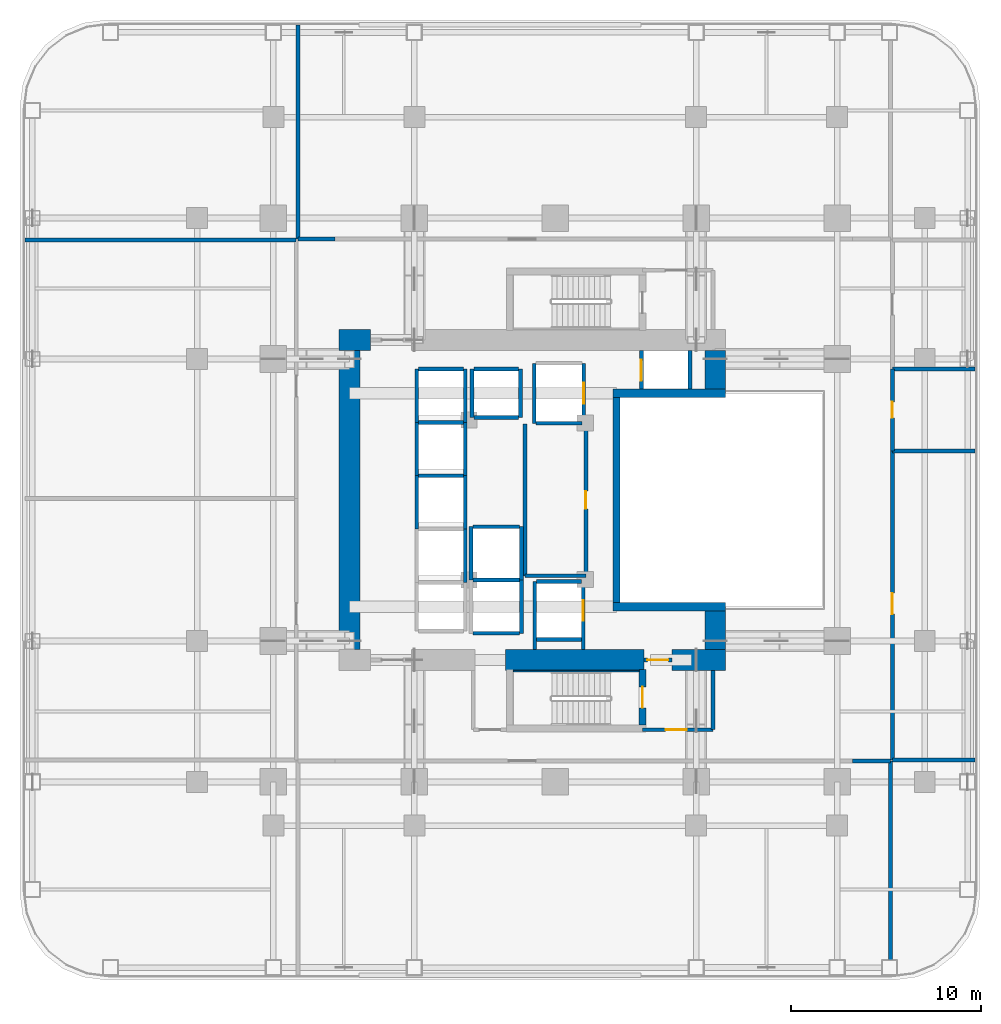
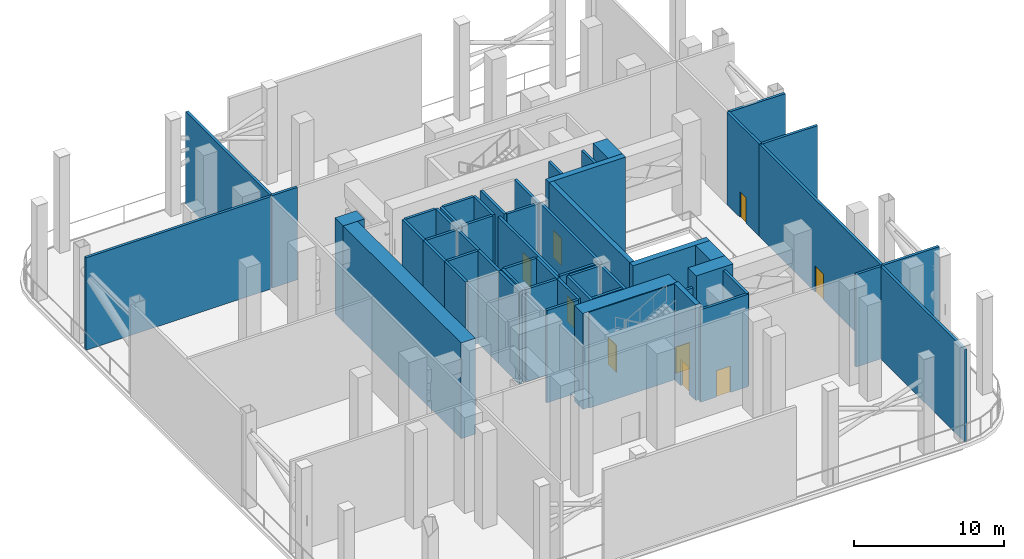
# One storey, part 5 of 11: 56 walls, 9 doors, 9 openings.
"""IFC4 building model written with IfcOpenShell, lengths in metres."""

from ifc_helpers import new_model, si_unit, direction, frame, frame_2d, origin, place, context, subcontext, project, spatial, rectangle, extrude, material, layer, layer_set, type_object, element, fill, save


model = new_model("IFC4")

# Units and contexts
model_context = context("Model", 3, precision=1e-05, world=origin(), true_north=direction((0.0, 1.0)))
body_context = subcontext(model_context, "Body", "Model", "MODEL_VIEW")
ifc_project = project(units=[si_unit("LENGTHUNIT", "METRE"), si_unit("AREAUNIT", "SQUARE_METRE"), si_unit("VOLUMEUNIT", "CUBIC_METRE"), si_unit("PLANEANGLEUNIT", "RADIAN"), si_unit("MASSUNIT", "GRAM", prefix="KILO")], contexts=[model_context])

# Site, building, storey
site_placement = place(None, origin())
site = spatial("IfcSite", under=ifc_project, at=site_placement, CompositionType="ELEMENT")
building_placement = place(site_placement, origin())
building = spatial("IfcBuilding", under=site, at=building_placement, Name="Khorvyn Point Tower", CompositionType="ELEMENT")
storey_placement = place(building_placement, frame((0.0, 0.0, 77.39990234375)))
storey = spatial("IfcBuildingStorey", under=building, at=storey_placement, Name="L20", CompositionType="ELEMENT", Elevation=77.39990234375)

# Walls
ifc_material_1 = material(Name="Concrete C40/50", Category="concrete")
ifc_layer_1 = layer(ifc_material_1, 0.449951171875)
ifc_layer_set_1 = layer_set([ifc_layer_1], Name="Concrete C40/50 Core Shear Wall 450")
wall_type_1 = type_object("IfcWallType", Name="Concrete C40/50 Core Shear Wall 450", PredefinedType="SHEAR", material=ifc_layer_set_1)
for number, where, z_axis, x_axis, name in (
    (1, (3.044921875, -5.60009765625, 0.0), (0.0, 0.0, 1.0), (1.0, 0.0, 0.0), "Wall"),
    (2, (3.044921875, 5.60009765625, 0.0), (0.0, 0.0, 1.0), (1.0, 0.0, 0.0), "Wall"),
):
    element("IfcWall", number, at=place(storey_placement, frame(where, z_axis=z_axis, x_axis=x_axis)), inside=storey, type_object=wall_type_1, Name=name, PredefinedType="SHEAR", context=body_context, shape_type="SweptSolid", body=[
        extrude(rectangle(XDim=5.905029296875, YDim=0.449951171875, at=frame_2d((2.95263671875, 0.0))), origin(), (0.0, 0.0, 1.0), 7.800048828125),
    ])

# Wall, opening, door
ifc_layer_2 = layer(ifc_material_1, 0.199951171875)
ifc_layer_set_2 = layer_set([ifc_layer_2], Name="Concrete C40/50 Fire-Lobby Compartment Wall 200")
wall_type_2 = type_object("IfcWallType", Name="Concrete C40/50 Fire-Lobby Compartment Wall 200", PredefinedType="SOLIDWALL", material=ifc_layer_set_2)
wall_1_placement = place(storey_placement, frame((4.580078125, -12.06005859375, 0.0), z_axis=(0.0, 0.0, 1.0), x_axis=(1.0, 0.0, 0.0)))
wall_1 = element("IfcWall", 3, at=wall_1_placement, inside=storey, type_object=wall_type_2, Name="Wall", PredefinedType="SOLIDWALL", context=body_context, shape_type="SweptSolid", body=[
    extrude(rectangle(XDim=3.699951171875, YDim=0.199951171875, at=frame_2d((1.85009765625, 0.0))), origin(), (0.0, 0.0, 1.0), 7.52001953125),
])
opening_1_placement = place(wall_1_placement, frame((1.21240234375, 0.0, 0.0)))
opening_1 = element("IfcOpeningElement", 4, at=opening_1_placement, cuts=wall_1, Name="Opening ID-FL90", PredefinedType="OPENING", context=body_context, shape_type="SweptSolid", body=[
    extrude(rectangle(XDim=1.10009765625, YDim=2.14990234375, at=frame_2d((0.550048828125, 1.074951171875))), frame((0.0, 0.10986328125, 0.0), z_axis=(0.0, -1.0, 0.0), x_axis=(1.0, 0.0, 0.0)), (0.0, 0.0, 1.0), 0.219970703125),
])
ifc_material_2 = material(Name="Galvanised powder-coated steel", Category="steel")
door_type_1 = type_object("IfcDoorType", Name="Fire-Rated Steel Lobby and Stair Door 1100x2150", OperationType="NOTDEFINED", PredefinedType="DOOR", material=ifc_material_2)
door_1_placement = place(opening_1_placement, origin())
door_1 = element("IfcDoor", 5, at=door_1_placement, inside=storey, type_object=door_type_1, Name="Door", OperationType="SINGLE_SWING_RIGHT", OverallHeight=2.14990234375, OverallWidth=1.10009765625, PredefinedType="DOOR", context=body_context, shape_type="SweptSolid", body=[
    extrude(rectangle(XDim=1.10009765625, YDim=2.14990234375, at=frame_2d((0.550048828125, 1.074951171875))), frame((0.0, 0.02490234375, 0.0), z_axis=(0.0, -1.0, 0.0), x_axis=(1.0, 0.0, 0.0)), (0.0, 0.0, 1.0), 0.050048828125),
])
fill(opening_1, door_1)

wall_2_placement = place(storey_placement, frame((4.64990234375, -8.39990234375, 0.0), z_axis=(0.0, 0.0, 1.0), x_axis=(1.0, 0.0, 0.0)))
wall_2 = element("IfcWall", 6, at=wall_2_placement, inside=storey, type_object=wall_type_2, Name="Wall", PredefinedType="SOLIDWALL", context=body_context, shape_type="SweptSolid", body=[
    extrude(rectangle(XDim=1.47021484375, YDim=0.199951171875, at=frame_2d((0.735107421875, 0.0))), origin(), (0.0, 0.0, 1.0), 6.56005859375),
])
opening_2_placement = place(wall_2_placement, frame((0.18505859375, 0.0, 0.0)))
opening_2 = element("IfcOpeningElement", 7, at=opening_2_placement, cuts=wall_2, Name="Opening ID-FL90", PredefinedType="OPENING", context=body_context, shape_type="SweptSolid", body=[
    extrude(rectangle(XDim=1.10009765625, YDim=2.14990234375, at=frame_2d((0.550048828125, 1.074951171875))), frame((0.0, 0.10986328125, 0.0), z_axis=(0.0, -1.0, 0.0), x_axis=(1.0, 0.0, 0.0)), (0.0, 0.0, 1.0), 0.219970703125),
])
door_2_placement = place(opening_2_placement, origin())
door_2 = element("IfcDoor", 8, at=door_2_placement, inside=storey, type_object=door_type_1, Name="Door", OperationType="SINGLE_SWING_LEFT", OverallHeight=2.14990234375, OverallWidth=1.10009765625, PredefinedType="DOOR", context=body_context, shape_type="SweptSolid", body=[
    extrude(rectangle(XDim=1.10009765625, YDim=2.14990234375, at=frame_2d((0.550048828125, 1.074951171875))), frame((0.0, 0.02490234375, 0.0), z_axis=(0.0, -1.0, 0.0), x_axis=(1.0, 0.0, 0.0)), (0.0, 0.0, 1.0), 0.050048828125),
])
fill(opening_2, door_2)

wall_3_placement = place(storey_placement, frame((1.610107421875, -3.97998046875, 0.0), z_axis=(0.0, 0.0, 1.0), x_axis=(0.0, 1.0, 0.0)))
wall_3 = element("IfcWall", 9, at=wall_3_placement, inside=storey, type_object=wall_type_2, Name="Wall", PredefinedType="SOLIDWALL", context=body_context, shape_type="SweptSolid", body=[
    extrude(rectangle(XDim=7.9599609375, YDim=0.199951171875, at=frame_2d((3.97998046875, 0.0))), origin(), (0.0, 0.0, 1.0), 7.52001953125),
])
opening_3_placement = place(wall_3_placement, frame((3.52001953125, 0.0, 0.0)))
opening_3 = element("IfcOpeningElement", 10, at=opening_3_placement, cuts=wall_3, Name="Opening ID-RS60", PredefinedType="OPENING", context=body_context, shape_type="SweptSolid", body=[
    extrude(rectangle(XDim=0.919921875, YDim=2.10009765625, at=frame_2d((0.4599609375, 1.050048828125))), frame((0.0, 0.10986328125, 0.0), z_axis=(0.0, -1.0, 0.0), x_axis=(1.0, 0.0, 0.0)), (0.0, 0.0, 1.0), 0.219970703125),
])
door_type_2 = type_object("IfcDoorType", Name="Fire-Rated Riser and Store Steel Door 920x2100", OperationType="NOTDEFINED", PredefinedType="DOOR", material=ifc_material_2)
door_3_placement = place(opening_3_placement, origin())
door_3 = element("IfcDoor", 11, at=door_3_placement, inside=storey, type_object=door_type_2, Name="Door", OperationType="SINGLE_SWING_RIGHT", OverallHeight=2.10009765625, OverallWidth=0.919921875, PredefinedType="DOOR", context=body_context, shape_type="SweptSolid", body=[
    extrude(rectangle(XDim=0.919921875, YDim=2.10009765625, at=frame_2d((0.4599609375, 1.050048828125))), frame((0.0, 0.02490234375, 0.0), z_axis=(0.0, -1.0, 0.0), x_axis=(1.0, 0.0, 0.0)), (0.0, 0.0, 1.0), 0.050048828125),
])
fill(opening_3, door_3)

wall_4_placement = place(storey_placement, frame((17.699951171875, -13.64990234375, 0.0), z_axis=(0.0, 0.0, 1.0), x_axis=(0.0, 1.0, 0.0)))
wall_4 = element("IfcWall", 12, at=wall_4_placement, inside=storey, type_object=wall_type_2, Name="Wall", PredefinedType="SOLIDWALL", context=body_context, shape_type="SweptSolid", body=[
    extrude(rectangle(XDim=16.22998046875, YDim=0.199951171875, at=frame_2d((8.114990234375, 0.0))), origin(), (0.0, 0.0, 1.0), 7.52001953125),
])
opening_4_placement = place(wall_4_placement, frame((7.654296875, 0.0, 0.0)))
opening_4 = element("IfcOpeningElement", 13, at=opening_4_placement, cuts=wall_4, Name="Opening ID-FL90", PredefinedType="OPENING", context=body_context, shape_type="SweptSolid", body=[
    extrude(rectangle(XDim=1.10009765625, YDim=2.14990234375, at=frame_2d((0.550048828125, 1.074951171875))), frame((0.0, 0.10986328125, 0.0), z_axis=(0.0, -1.0, 0.0), x_axis=(1.0, 0.0, 0.0)), (0.0, 0.0, 1.0), 0.219970703125),
])
door_4_placement = place(opening_4_placement, origin())
door_4 = element("IfcDoor", 14, at=door_4_placement, inside=storey, type_object=door_type_1, Name="Door", OperationType="SINGLE_SWING_LEFT", OverallHeight=2.14990234375, OverallWidth=1.10009765625, PredefinedType="DOOR", context=body_context, shape_type="SweptSolid", body=[
    extrude(rectangle(XDim=1.10009765625, YDim=2.14990234375, at=frame_2d((0.550048828125, 1.074951171875))), frame((0.0, 0.02490234375, 0.0), z_axis=(0.0, -1.0, 0.0), x_axis=(1.0, 0.0, 0.0)), (0.0, 0.0, 1.0), 0.050048828125),
])
fill(opening_4, door_4)

wall_5_placement = place(storey_placement, frame((17.699951171875, 2.580078125, 0.0), z_axis=(0.0, 0.0, 1.0), x_axis=(0.0, 1.0, 0.0)))
wall_5 = element("IfcWall", 15, at=wall_5_placement, inside=storey, type_object=wall_type_2, Name="Wall", PredefinedType="SOLIDWALL", context=body_context, shape_type="SweptSolid", body=[
    extrude(rectangle(XDim=4.2998046875, YDim=0.199951171875, at=frame_2d((2.14990234375, 0.0))), origin(), (0.0, 0.0, 1.0), 7.52001953125),
])
opening_5_placement = place(wall_5_placement, frame((1.72509765625, 0.0, 0.0)))
opening_5 = element("IfcOpeningElement", 16, at=opening_5_placement, cuts=wall_5, Name="Opening ID-WC85", PredefinedType="OPENING", context=body_context, shape_type="SweptSolid", body=[
    extrude(rectangle(XDim=0.85009765625, YDim=2.10009765625, at=frame_2d((0.425048828125, 1.050048828125))), frame((0.0, 0.10986328125, 0.0), z_axis=(0.0, -1.0, 0.0), x_axis=(1.0, 0.0, 0.0)), (0.0, 0.0, 1.0), 0.219970703125),
])
ifc_material_3 = material(Name="High-pressure laminate on moisture-resistant core", Category="wood")
door_type_3 = type_object("IfcDoorType", Name="Moisture-Resistant Accessible Washroom Door 850x2100", OperationType="NOTDEFINED", PredefinedType="DOOR", material=ifc_material_3)
door_5_placement = place(opening_5_placement, origin())
door_5 = element("IfcDoor", 17, at=door_5_placement, inside=storey, type_object=door_type_3, Name="Door", OperationType="SINGLE_SWING_RIGHT", OverallHeight=2.10009765625, OverallWidth=0.85009765625, PredefinedType="DOOR", context=body_context, shape_type="SweptSolid", body=[
    extrude(rectangle(XDim=0.85009765625, YDim=2.10009765625, at=frame_2d((0.425048828125, 1.050048828125))), frame((0.0, 0.02490234375, 0.0), z_axis=(0.0, -1.0, 0.0), x_axis=(1.0, 0.0, 0.0)), (0.0, 0.0, 1.0), 0.050048828125),
])
fill(opening_5, door_5)

# Walls
wall_6_placement = place(storey_placement, frame((8.280029296875, -12.06005859375, 0.0), z_axis=(0.0, 0.0, 1.0), x_axis=(0.0, 1.0, 0.0)))
element("IfcWall", 18, at=wall_6_placement, inside=storey, type_object=wall_type_2, Name="Wall", PredefinedType="SOLIDWALL", context=body_context, shape_type="SweptSolid", body=[
    extrude(rectangle(XDim=3.110107421875, YDim=0.199951171875, at=frame_2d((1.55517578125, 0.0))), origin(), (0.0, 0.0, 1.0), 7.52001953125),
])
wall_7_placement = place(storey_placement, frame((-1.580078125, -3.97998046875, 0.0), z_axis=(0.0, 0.0, 1.0), x_axis=(0.0, 1.0, 0.0)))
element("IfcWall", 19, at=wall_7_placement, inside=storey, type_object=wall_type_2, Name="Wall", PredefinedType="SOLIDWALL", context=body_context, shape_type="SweptSolid", body=[
    extrude(rectangle(XDim=7.9599609375, YDim=0.199951171875, at=frame_2d((3.97998046875, 0.0))), origin(), (0.0, 0.0, 1.0), 7.52001953125),
])
wall_8_placement = place(storey_placement, frame((-1.580078125, -3.97998046875, 0.0), z_axis=(0.0, 0.0, 1.0), x_axis=(1.0, 0.0, 0.0)))
element("IfcWall", 20, at=wall_8_placement, inside=storey, type_object=wall_type_2, Name="Wall", PredefinedType="SOLIDWALL", context=body_context, shape_type="SweptSolid", body=[
    extrude(rectangle(XDim=3.190185546875, YDim=0.199951171875, at=frame_2d((1.59521484375, 0.0))), origin(), (0.0, 0.0, 1.0), 7.52001953125),
])
wall_9_placement = place(storey_placement, frame((-13.5, 13.699951171875, 0.0), z_axis=(0.0, 0.0, 1.0), x_axis=(1.0, 0.0, 0.0)))
element("IfcWall", 21, at=wall_9_placement, inside=storey, type_object=wall_type_2, Name="Wall", PredefinedType="SOLIDWALL", context=body_context, shape_type="SweptSolid", body=[
    extrude(rectangle(XDim=1.949951171875, YDim=0.199951171875, at=frame_2d((0.97509765625, 0.0))), origin(), (0.0, 0.0, 1.0), 7.52001953125),
])
wall_10_placement = place(storey_placement, frame((15.60009765625, -13.699951171875, 0.0), z_axis=(0.0, 0.0, 1.0), x_axis=(1.0, 0.0, 0.0)))
element("IfcWall", 22, at=wall_10_placement, inside=storey, type_object=wall_type_2, Name="Wall", PredefinedType="SOLIDWALL", context=body_context, shape_type="SweptSolid", body=[
    extrude(rectangle(XDim=2.0, YDim=0.199951171875, at=frame_2d((1.0, 0.0))), origin(), (0.0, 0.0, 1.0), 7.52001953125),
])
for number, where, z_axis, x_axis, name in (
    (23, (17.60009765625, -24.949951171875, 0.0), (0.0, 0.0, 1.0), (0.0, 1.0, 0.0), "Wall"),
    (24, (-13.5, 13.699951171875, 0.0), (0.0, 0.0, 1.0), (0.0, 1.0, 0.0), "Wall"),
):
    element("IfcWall", number, at=place(storey_placement, frame(where, z_axis=z_axis, x_axis=x_axis)), inside=storey, type_object=wall_type_2, Name=name, PredefinedType="SOLIDWALL", context=body_context, shape_type="SweptSolid", body=[
        extrude(rectangle(XDim=11.25, YDim=0.199951171875, at=frame_2d((5.625, 0.0))), origin(), (0.0, 0.0, 1.0), 7.52001953125),
    ])
wall_11_placement = place(storey_placement, frame((-27.85009765625, 13.64990234375, 0.0), z_axis=(0.0, 0.0, 1.0), x_axis=(1.0, 0.0, 0.0)))
element("IfcWall", 25, at=wall_11_placement, inside=storey, type_object=wall_type_2, Name="Wall", PredefinedType="SOLIDWALL", context=body_context, shape_type="SweptSolid", body=[
    extrude(rectangle(XDim=14.25, YDim=0.199951171875, at=frame_2d((7.125, 0.0))), origin(), (0.0, 0.0, 1.0), 7.52001953125),
])
for number, where, z_axis, x_axis, name in (
    (26, (17.699951171875, -13.64990234375, 0.0), (0.0, 0.0, 1.0), (1.0, 0.0, 0.0), "Wall"),
    (27, (17.699951171875, 2.580078125, 0.0), (0.0, 0.0, 1.0), (1.0, 0.0, 0.0), "Wall"),
    (28, (17.699951171875, 6.8798828125, 0.0), (0.0, 0.0, 1.0), (1.0, 0.0, 0.0), "Wall"),
):
    element("IfcWall", number, at=place(storey_placement, frame(where, z_axis=z_axis, x_axis=x_axis)), inside=storey, type_object=wall_type_2, Name=name, PredefinedType="SOLIDWALL", context=body_context, shape_type="SweptSolid", body=[
        extrude(rectangle(XDim=4.35009765625, YDim=0.199951171875, at=frame_2d((2.175048828125, 0.0))), origin(), (0.0, 0.0, 1.0), 7.52001953125),
    ])
ifc_layer_3 = layer(ifc_material_1, 0.25)
ifc_layer_set_3 = layer_set([ifc_layer_3], Name="Concrete C40/50 Stair Inner Cheek Structural Wall 250")
wall_type_3 = type_object("IfcWallType", Name="Concrete C40/50 Stair Inner Cheek Structural Wall 250", PredefinedType="SHEAR", material=ifc_layer_set_3)
wall_12_placement = place(storey_placement, frame((-2.199951171875, -8.987548828125, 0.0), z_axis=(0.0, 0.0, 1.0), x_axis=(1.0, 0.0, 0.0)))
element("IfcWall", 29, at=wall_12_placement, inside=storey, type_object=wall_type_3, Name="Wall", PredefinedType="SHEAR", context=body_context, shape_type="SweptSolid", body=[
    extrude(rectangle(XDim=6.599853515625, YDim=0.074951171875, at=frame_2d((3.2998046875, 0.0))), origin(), (0.0, 0.0, 1.0), 7.800048828125),
])
ifc_layer_4 = layer(ifc_material_1, 0.35009765625)
ifc_layer_set_4 = layer_set([ifc_layer_4], Name="Concrete C40/50 Stair Shaft Structural Wall 350")
wall_type_4 = type_object("IfcWallType", Name="Concrete C40/50 Stair Shaft Structural Wall 350", PredefinedType="SHEAR", material=ifc_layer_set_4)
wall_13_placement = place(storey_placement, frame((3.219970703125, -5.375, 0.0), z_axis=(0.0, 0.0, 1.0), x_axis=(0.0, 1.0, 0.0)))
element("IfcWall", 30, at=wall_13_placement, inside=storey, type_object=wall_type_4, Name="Wall", PredefinedType="SHEAR", context=body_context, shape_type="SweptSolid", body=[
    extrude(rectangle(XDim=10.75, YDim=0.35009765625, at=frame_2d((5.375, 0.0))), origin(), (0.0, 0.0, 1.0), 7.800048828125),
])

# Wall, opening, door
wall_14_placement = place(storey_placement, frame((4.580078125, -8.89990234375, 0.0), z_axis=(0.0, 0.0, 1.0), x_axis=(0.0, -1.0, 0.0)))
wall_14 = element("IfcWall", 31, at=wall_14_placement, inside=storey, type_object=wall_type_4, Name="L20 ST-01 East Landing Door Wall", PredefinedType="SHEAR", context=body_context, shape_type="SweptSolid", body=[
    extrude(rectangle(XDim=2.925048828125, YDim=0.35009765625, at=frame_2d((1.46240234375, 0.0))), origin(), (0.0, 0.0, 1.0), 7.800048828125),
])
opening_6_placement = place(wall_14_placement, frame((0.91259765625, 0.0, 0.0)))
opening_6 = element("IfcOpeningElement", 32, at=opening_6_placement, cuts=wall_14, Name="Opening ID-FL90", PredefinedType="OPENING", context=body_context, shape_type="SweptSolid", body=[
    extrude(rectangle(XDim=1.10009765625, YDim=2.14990234375, at=frame_2d((0.550048828125, 1.074951171875))), frame((0.0, 0.18505859375, 0.0), z_axis=(0.0, -1.0, 0.0), x_axis=(1.0, 0.0, 0.0)), (0.0, 0.0, 1.0), 0.3701171875),
])
door_6_placement = place(opening_6_placement, origin())
door_6 = element("IfcDoor", 33, at=door_6_placement, inside=storey, type_object=door_type_1, Name="L20 ST-01 Smokeproof Landing Door", OperationType="SINGLE_SWING_RIGHT", OverallHeight=2.14990234375, OverallWidth=1.10009765625, PredefinedType="DOOR", context=body_context, shape_type="SweptSolid", body=[
    extrude(rectangle(XDim=1.10009765625, YDim=2.14990234375, at=frame_2d((0.550048828125, 1.074951171875))), frame((0.0, 0.02490234375, 0.0), z_axis=(0.0, -1.0, 0.0), x_axis=(1.0, 0.0, 0.0)), (0.0, 0.0, 1.0), 0.050048828125),
])
fill(opening_6, door_6)

# Walls
ifc_layer_5 = layer(ifc_material_1, 0.199951171875)
ifc_layer_set_5 = layer_set([ifc_layer_5], Name="Concrete C40/50 Structural Hoistway and Stair Shaft Wall 200")
wall_type_5 = type_object("IfcWallType", Name="Concrete C40/50 Structural Hoistway and Stair Shaft Wall 200", PredefinedType="SHEAR", material=ifc_layer_set_5)
wall_15_placement = place(storey_placement, frame((-4.72509765625, -4.324951171875, 0.0), z_axis=(0.0, 0.0, 1.0), x_axis=(0.0, 1.0, 0.0)))
element("IfcWall", 34, at=wall_15_placement, inside=storey, type_object=wall_type_5, Name="Wall", PredefinedType="SHEAR", context=body_context, shape_type="SweptSolid", body=[
    extrude(rectangle(XDim=2.800048828125, YDim=0.199951171875, at=frame_2d((1.39990234375, 0.0))), origin(), (0.0, 0.0, 1.0), 7.52001953125),
])
for number, where, z_axis, x_axis, name in (
    (35, (-7.27490234375, -1.52490234375, 0.0), (0.0, 0.0, 1.0), (0.0, 1.0, 0.0), "Wall"),
    (36, (-4.72509765625, -1.52490234375, 0.0), (0.0, 0.0, 1.0), (0.0, 1.0, 0.0), "Wall"),
):
    element("IfcWall", number, at=place(storey_placement, frame(where, z_axis=z_axis, x_axis=x_axis)), inside=storey, type_object=wall_type_5, Name=name, PredefinedType="SHEAR", context=body_context, shape_type="SweptSolid", body=[
        extrude(rectangle(XDim=2.7998046875, YDim=0.199951171875, at=frame_2d((1.39990234375, 0.0))), origin(), (0.0, 0.0, 1.0), 7.52001953125),
    ])
wall_16_placement = place(storey_placement, frame((-7.175048828125, 1.27490234375, 0.0), z_axis=(0.0, 0.0, 1.0), x_axis=(1.0, 0.0, 0.0)))
element("IfcWall", 37, at=wall_16_placement, inside=storey, type_object=wall_type_5, Name="Wall", PredefinedType="SHEAR", context=body_context, shape_type="SweptSolid", body=[
    extrude(rectangle(XDim=2.35009765625, YDim=0.199951171875, at=frame_2d((1.175048828125, 0.0))), origin(), (0.0, 0.0, 1.0), 7.52001953125),
])
for number, where, z_axis, x_axis, name in (
    (38, (-7.27490234375, 1.27490234375, 0.0), (0.0, 0.0, 1.0), (0.0, 1.0, 0.0), "Wall"),
    (39, (-4.72509765625, 1.27490234375, 0.0), (0.0, 0.0, 1.0), (0.0, 1.0, 0.0), "Wall"),
):
    element("IfcWall", number, at=place(storey_placement, frame(where, z_axis=z_axis, x_axis=x_axis)), inside=storey, type_object=wall_type_5, Name=name, PredefinedType="SHEAR", context=body_context, shape_type="SweptSolid", body=[
        extrude(rectangle(XDim=2.800048828125, YDim=0.199951171875, at=frame_2d((1.39990234375, 0.0))), origin(), (0.0, 0.0, 1.0), 7.52001953125),
    ])
wall_17_placement = place(storey_placement, frame((-7.175048828125, 4.074951171875, 0.0), z_axis=(0.0, 0.0, 1.0), x_axis=(1.0, 0.0, 0.0)))
element("IfcWall", 40, at=wall_17_placement, inside=storey, type_object=wall_type_5, Name="Wall", PredefinedType="SHEAR", context=body_context, shape_type="SweptSolid", body=[
    extrude(rectangle(XDim=2.35009765625, YDim=0.199951171875, at=frame_2d((1.175048828125, 0.0))), origin(), (0.0, 0.0, 1.0), 7.52001953125),
])
for number, where, z_axis, x_axis, name in (
    (41, (-7.27490234375, 4.074951171875, 0.0), (0.0, 0.0, 1.0), (0.0, 1.0, 0.0), "Wall"),
    (42, (-4.72509765625, 4.074951171875, 0.0), (0.0, 0.0, 1.0), (0.0, 1.0, 0.0), "Wall"),
):
    element("IfcWall", number, at=place(storey_placement, frame(where, z_axis=z_axis, x_axis=x_axis)), inside=storey, type_object=wall_type_5, Name=name, PredefinedType="SHEAR", context=body_context, shape_type="SweptSolid", body=[
        extrude(rectangle(XDim=2.800048828125, YDim=0.199951171875, at=frame_2d((1.39990234375, 0.0))), origin(), (0.0, 0.0, 1.0), 7.52001953125),
    ])
wall_18_placement = place(storey_placement, frame((-7.175048828125, 6.875, 0.0), z_axis=(0.0, 0.0, 1.0), x_axis=(1.0, 0.0, 0.0)))
element("IfcWall", 43, at=wall_18_placement, inside=storey, type_object=wall_type_5, Name="Wall", PredefinedType="SHEAR", context=body_context, shape_type="SweptSolid", body=[
    extrude(rectangle(XDim=2.35009765625, YDim=0.199951171875, at=frame_2d((1.175048828125, 0.0))), origin(), (0.0, 0.0, 1.0), 7.52001953125),
])
for number, where, z_axis, x_axis, name in (
    (44, (-4.375, 4.324951171875, 0.0), (0.0, 0.0, 1.0), (0.0, 1.0, 0.0), "Wall"),
    (45, (-1.824951171875, 4.324951171875, 0.0), (0.0, 0.0, 1.0), (0.0, 1.0, 0.0), "Wall"),
):
    element("IfcWall", number, at=place(storey_placement, frame(where, z_axis=z_axis, x_axis=x_axis)), inside=storey, type_object=wall_type_5, Name=name, PredefinedType="SHEAR", context=body_context, shape_type="SweptSolid", body=[
        extrude(rectangle(XDim=2.550048828125, YDim=0.199951171875, at=frame_2d((1.27490234375, 0.0))), origin(), (0.0, 0.0, 1.0), 7.52001953125),
    ])
for number, where, z_axis, x_axis, name in (
    (46, (-4.27490234375, 4.324951171875, 0.0), (0.0, 0.0, 1.0), (1.0, 0.0, 0.0), "Wall"),
    (47, (-4.27490234375, 6.875, 0.0), (0.0, 0.0, 1.0), (1.0, 0.0, 0.0), "Wall"),
):
    element("IfcWall", number, at=place(storey_placement, frame(where, z_axis=z_axis, x_axis=x_axis)), inside=storey, type_object=wall_type_5, Name=name, PredefinedType="SHEAR", context=body_context, shape_type="SweptSolid", body=[
        extrude(rectangle(XDim=2.349853515625, YDim=0.199951171875, at=frame_2d((1.1748046875, 0.0))), origin(), (0.0, 0.0, 1.0), 7.52001953125),
    ])
wall_19_placement = place(storey_placement, frame((-1.77490234375, -7.0, 0.0), z_axis=(0.0, 0.0, 1.0), x_axis=(0.0, 1.0, 0.0)))
element("IfcWall", 48, at=wall_19_placement, inside=storey, type_object=wall_type_5, Name="Wall", PredefinedType="SHEAR", context=body_context, shape_type="SweptSolid", body=[
    extrude(rectangle(XDim=2.800048828125, YDim=0.199951171875, at=frame_2d((1.39990234375, 0.0))), origin(), (0.0, 0.0, 1.0), 7.52001953125),
])
for number, where, z_axis, x_axis, name in (
    (49, (-4.324951171875, -7.0, 0.0), (0.0, 0.0, 1.0), (1.0, 0.0, 0.0), "Wall"),
    (50, (-4.324951171875, -4.199951171875, 0.0), (0.0, 0.0, 1.0), (1.0, 0.0, 0.0), "Wall"),
):
    element("IfcWall", number, at=place(storey_placement, frame(where, z_axis=z_axis, x_axis=x_axis)), inside=storey, type_object=wall_type_5, Name=name, PredefinedType="SHEAR", context=body_context, shape_type="SweptSolid", body=[
        extrude(rectangle(XDim=2.449951171875, YDim=0.199951171875, at=frame_2d((1.22509765625, 0.0))), origin(), (0.0, 0.0, 1.0), 7.52001953125),
    ])
for number, where, z_axis, x_axis, name in (
    (51, (-4.425048828125, -4.199951171875, 0.0), (0.0, 0.0, 1.0), (0.0, 1.0, 0.0), "Wall"),
    (52, (-1.77490234375, -4.199951171875, 0.0), (0.0, 0.0, 1.0), (0.0, 1.0, 0.0), "Wall"),
):
    element("IfcWall", number, at=place(storey_placement, frame(where, z_axis=z_axis, x_axis=x_axis)), inside=storey, type_object=wall_type_5, Name=name, PredefinedType="SHEAR", context=body_context, shape_type="SweptSolid", body=[
        extrude(rectangle(XDim=2.800048828125, YDim=0.199951171875, at=frame_2d((1.39990234375, 0.0))), origin(), (0.0, 0.0, 1.0), 7.52001953125),
    ])
wall_20_placement = place(storey_placement, frame((-4.324951171875, -1.39990234375, 0.0), z_axis=(0.0, 0.0, 1.0), x_axis=(1.0, 0.0, 0.0)))
element("IfcWall", 53, at=wall_20_placement, inside=storey, type_object=wall_type_5, Name="Wall", PredefinedType="SHEAR", context=body_context, shape_type="SweptSolid", body=[
    extrude(rectangle(XDim=2.449951171875, YDim=0.199951171875, at=frame_2d((1.22509765625, 0.0))), origin(), (0.0, 0.0, 1.0), 7.52001953125),
])
wall_21_placement = place(storey_placement, frame((-1.10009765625, 4.02490234375, 0.0), z_axis=(0.0, 0.0, 1.0), x_axis=(0.0, 1.0, 0.0)))
element("IfcWall", 54, at=wall_21_placement, inside=storey, type_object=wall_type_5, Name="Wall", PredefinedType="SHEAR", context=body_context, shape_type="SweptSolid", body=[
    extrude(rectangle(XDim=3.150146484375, YDim=0.199951171875, at=frame_2d((1.5751953125, 0.0))), origin(), (0.0, 0.0, 1.0), 7.52001953125),
])

# Wall, opening, door
wall_22_placement = place(storey_placement, frame((1.5, 4.02490234375, 0.0), z_axis=(0.0, 0.0, 1.0), x_axis=(0.0, 1.0, 0.0)))
wall_22 = element("IfcWall", 55, at=wall_22_placement, inside=storey, type_object=wall_type_5, Name="Wall", PredefinedType="SHEAR", context=body_context, shape_type="SweptSolid", body=[
    extrude(rectangle(XDim=3.150146484375, YDim=0.199951171875, at=frame_2d((1.5751953125, 0.0))), origin(), (0.0, 0.0, 1.0), 7.52001953125),
])
opening_7_placement = place(wall_22_placement, frame((1.02490234375, 0.0, 0.0)))
opening_7 = element("IfcOpeningElement", 56, at=opening_7_placement, cuts=wall_22, Name="Opening LD-1122", PredefinedType="OPENING", context=body_context, shape_type="SweptSolid", body=[
    extrude(rectangle(XDim=1.10009765625, YDim=2.199951171875, at=frame_2d((0.550048828125, 1.10009765625))), frame((0.0, 0.10986328125, 0.0), z_axis=(0.0, -1.0, 0.0), x_axis=(1.0, 0.0, 0.0)), (0.0, 0.0, 1.0), 0.219970703125),
])
ifc_material_4 = material(Name="Stainless steel 1.4301", Category="steel")
door_type_4 = type_object("IfcDoorType", Name="Stainless Steel Automatic Sliding Lift Landing Door 1100x2200", OperationType="SLIDING_TO_LEFT", PredefinedType="DOOR", material=ifc_material_4)
door_7_placement = place(opening_7_placement, origin())
door_7 = element("IfcDoor", 57, at=door_7_placement, inside=storey, type_object=door_type_4, Name="L20 SV-01 Sliding Lift Landing Door", OperationType="SLIDING_TO_LEFT", OverallHeight=2.199951171875, OverallWidth=1.10009765625, PredefinedType="DOOR", context=body_context, shape_type="SweptSolid", body=[
    extrude(rectangle(XDim=1.10009765625, YDim=2.199951171875, at=frame_2d((0.550048828125, 1.10009765625))), frame((0.0, 0.02490234375, 0.0), z_axis=(0.0, -1.0, 0.0), x_axis=(1.0, 0.0, 0.0)), (0.0, 0.0, 1.0), 0.050048828125),
])
fill(opening_7, door_7)

# Walls
wall_23_placement = place(storey_placement, frame((-1.0, 4.02490234375, 0.0), z_axis=(0.0, 0.0, 1.0), x_axis=(1.0, 0.0, 0.0)))
element("IfcWall", 58, at=wall_23_placement, inside=storey, type_object=wall_type_5, Name="Wall", PredefinedType="SHEAR", context=body_context, shape_type="SweptSolid", body=[
    extrude(rectangle(XDim=2.39990234375, YDim=0.199951171875, at=frame_2d((1.199951171875, 0.0))), origin(), (0.0, 0.0, 1.0), 7.52001953125),
])
wall_24_placement = place(storey_placement, frame((-1.074951171875, -7.85009765625, 0.0), z_axis=(0.0, 0.0, 1.0), x_axis=(0.0, 1.0, 0.0)))
element("IfcWall", 59, at=wall_24_placement, inside=storey, type_object=wall_type_5, Name="Wall", PredefinedType="SHEAR", context=body_context, shape_type="SweptSolid", body=[
    extrude(rectangle(XDim=3.5751953125, YDim=0.199951171875, at=frame_2d((1.78759765625, 0.0))), origin(), (0.0, 0.0, 1.0), 7.52001953125),
])

# Wall, opening, door
wall_25_placement = place(storey_placement, frame((1.47509765625, -7.85009765625, 0.0), z_axis=(0.0, 0.0, 1.0), x_axis=(0.0, 1.0, 0.0)))
wall_25 = element("IfcWall", 60, at=wall_25_placement, inside=storey, type_object=wall_type_5, Name="Wall", PredefinedType="SHEAR", context=body_context, shape_type="SweptSolid", body=[
    extrude(rectangle(XDim=3.5751953125, YDim=0.199951171875, at=frame_2d((1.78759765625, 0.0))), origin(), (0.0, 0.0, 1.0), 7.52001953125),
])
opening_8_placement = place(wall_25_placement, frame((1.5, 0.0, 0.0)))
opening_8 = element("IfcOpeningElement", 61, at=opening_8_placement, cuts=wall_25, Name="Opening LD-1122", PredefinedType="OPENING", context=body_context, shape_type="SweptSolid", body=[
    extrude(rectangle(XDim=1.10009765625, YDim=2.199951171875, at=frame_2d((0.550048828125, 1.10009765625))), frame((0.0, 0.10986328125, 0.0), z_axis=(0.0, -1.0, 0.0), x_axis=(1.0, 0.0, 0.0)), (0.0, 0.0, 1.0), 0.219970703125),
])
door_8_placement = place(opening_8_placement, origin())
door_8 = element("IfcDoor", 62, at=door_8_placement, inside=storey, type_object=door_type_4, Name="L20 FF-01 Sliding Lift Landing Door", OperationType="SLIDING_TO_LEFT", OverallHeight=2.199951171875, OverallWidth=1.10009765625, PredefinedType="DOOR", context=body_context, shape_type="SweptSolid", body=[
    extrude(rectangle(XDim=1.10009765625, YDim=2.199951171875, at=frame_2d((0.550048828125, 1.10009765625))), frame((0.0, 0.02490234375, 0.0), z_axis=(0.0, -1.0, 0.0), x_axis=(1.0, 0.0, 0.0)), (0.0, 0.0, 1.0), 0.050048828125),
])
fill(opening_8, door_8)

# Walls
for number, where, z_axis, x_axis, name in (
    (63, (-0.97509765625, -7.324951171875, 0.0), (0.0, 0.0, 1.0), (1.0, 0.0, 0.0), "Wall"),
    (64, (-0.97509765625, -4.27490234375, 0.0), (0.0, 0.0, 1.0), (1.0, 0.0, 0.0), "Wall"),
):
    element("IfcWall", number, at=place(storey_placement, frame(where, z_axis=z_axis, x_axis=x_axis)), inside=storey, type_object=wall_type_5, Name=name, PredefinedType="SHEAR", context=body_context, shape_type="SweptSolid", body=[
        extrude(rectangle(XDim=2.35009765625, YDim=0.199951171875, at=frame_2d((1.175048828125, 0.0))), origin(), (0.0, 0.0, 1.0), 7.52001953125),
    ])

# Wall, opening, door
wall_26_placement = place(storey_placement, frame((4.52490234375, 5.824951171875, 0.0), z_axis=(0.0, 0.0, 1.0), x_axis=(0.0, 1.0, 0.0)))
wall_26 = element("IfcWall", 65, at=wall_26_placement, inside=storey, type_object=wall_type_5, Name="Wall", PredefinedType="SHEAR", context=body_context, shape_type="SweptSolid", body=[
    extrude(rectangle(XDim=2.025146484375, YDim=0.199951171875, at=frame_2d((1.0126953125, 0.0))), origin(), (0.0, 0.0, 1.0), 7.52001953125),
])
opening_9_placement = place(wall_26_placement, frame((0.425048828125, 0.0, 0.0)))
opening_9 = element("IfcOpeningElement", 66, at=opening_9_placement, cuts=wall_26, Name="Opening LD-1122", PredefinedType="OPENING", context=body_context, shape_type="SweptSolid", body=[
    extrude(rectangle(XDim=1.10009765625, YDim=2.199951171875, at=frame_2d((0.550048828125, 1.10009765625))), frame((0.0, 0.10986328125, 0.0), z_axis=(0.0, -1.0, 0.0), x_axis=(1.0, 0.0, 0.0)), (0.0, 0.0, 1.0), 0.219970703125),
])
door_9_placement = place(opening_9_placement, origin())
door_9 = element("IfcDoor", 67, at=door_9_placement, inside=storey, type_object=door_type_4, Name="L20 FF-02 Sliding Lift Landing Door", OperationType="SLIDING_TO_LEFT", OverallHeight=2.199951171875, OverallWidth=1.10009765625, PredefinedType="DOOR", context=body_context, shape_type="SweptSolid", body=[
    extrude(rectangle(XDim=1.10009765625, YDim=2.199951171875, at=frame_2d((0.550048828125, 1.10009765625))), frame((0.0, 0.02490234375, 0.0), z_axis=(0.0, -1.0, 0.0), x_axis=(1.0, 0.0, 0.0)), (0.0, 0.0, 1.0), 0.050048828125),
])
fill(opening_9, door_9)

# Walls
wall_27_placement = place(storey_placement, frame((7.074951171875, 5.824951171875, 0.0), z_axis=(0.0, 0.0, 1.0), x_axis=(0.0, 1.0, 0.0)))
element("IfcWall", 68, at=wall_27_placement, inside=storey, type_object=wall_type_5, Name="Wall", PredefinedType="SHEAR", context=body_context, shape_type="SweptSolid", body=[
    extrude(rectangle(XDim=2.025146484375, YDim=0.199951171875, at=frame_2d((1.0126953125, 0.0))), origin(), (0.0, 0.0, 1.0), 7.52001953125),
])
ifc_material_5 = material(Name="Concrete C50/60", Category="concrete")
ifc_layer_6 = layer(ifc_material_5, 1.10009765625)
ifc_layer_set_6 = layer_set([ifc_layer_6], Name="Concrete C50/60 Core Shear Wall 1100")
wall_type_6 = type_object("IfcWallType", Name="Concrete C50/60 Core Shear Wall 1100", PredefinedType="SHEAR", material=ifc_layer_set_6)
wall_28_placement = place(storey_placement, frame((-2.6201171875, -8.39990234375, 0.0), z_axis=(0.0, 0.0, 1.0), x_axis=(1.0, 0.0, 0.0)))
element("IfcWall", 69, at=wall_28_placement, inside=storey, type_object=wall_type_6, Name="Wall", PredefinedType="SHEAR", context=body_context, shape_type="SweptSolid", body=[
    extrude(rectangle(XDim=7.27001953125, YDim=1.10009765625, at=frame_2d((3.635009765625, 0.0))), origin(), (0.0, 0.0, 1.0), 7.800048828125),
])
wall_29_placement = place(storey_placement, frame((6.1201171875, -8.39990234375, 0.0), z_axis=(0.0, 0.0, 1.0), x_axis=(1.0, 0.0, 0.0)))
element("IfcWall", 70, at=wall_29_placement, inside=storey, type_object=wall_type_6, Name="Wall", PredefinedType="SHEAR", context=body_context, shape_type="SweptSolid", body=[
    extrude(rectangle(XDim=2.829833984375, YDim=1.10009765625, at=frame_2d((1.4150390625, 0.0))), origin(), (0.0, 0.0, 1.0), 7.800048828125),
])
wall_30_placement = place(storey_placement, frame((-11.35009765625, 8.39990234375, 0.0), z_axis=(0.0, 0.0, 1.0), x_axis=(1.0, 0.0, 0.0)))
element("IfcWall", 71, at=wall_30_placement, inside=storey, type_object=wall_type_6, Name="Wall", PredefinedType="SHEAR", context=body_context, shape_type="SweptSolid", body=[
    extrude(rectangle(XDim=1.650146484375, YDim=1.10009765625, at=frame_2d((0.8251953125, 0.0))), origin(), (0.0, 0.0, 1.0), 7.800048828125),
])
wall_31_placement = place(storey_placement, frame((-10.800048828125, -7.85009765625, 0.0), z_axis=(0.0, 0.0, 1.0), x_axis=(0.0, 1.0, 0.0)))
element("IfcWall", 72, at=wall_31_placement, inside=storey, type_object=wall_type_6, Name="Wall", PredefinedType="SHEAR", context=body_context, shape_type="SweptSolid", body=[
    extrude(rectangle(XDim=15.7001953125, YDim=1.10009765625, at=frame_2d((7.85009765625, 0.0))), origin(), (0.0, 0.0, 1.0), 7.800048828125),
])
for number, where, z_axis, x_axis, name in (
    (73, (8.39990234375, -7.85009765625, 0.0), (0.0, 0.0, 1.0), (0.0, 1.0, 0.0), "Wall"),
    (74, (8.39990234375, 5.824951171875, 0.0), (0.0, 0.0, 1.0), (0.0, 1.0, 0.0), "Wall"),
):
    element("IfcWall", number, at=place(storey_placement, frame(where, z_axis=z_axis, x_axis=x_axis)), inside=storey, type_object=wall_type_6, Name=name, PredefinedType="SHEAR", context=body_context, shape_type="SweptSolid", body=[
        extrude(rectangle(XDim=2.025146484375, YDim=1.10009765625, at=frame_2d((1.0126953125, 0.0))), origin(), (0.0, 0.0, 1.0), 7.800048828125),
    ])

save(model, "model.ifc")
